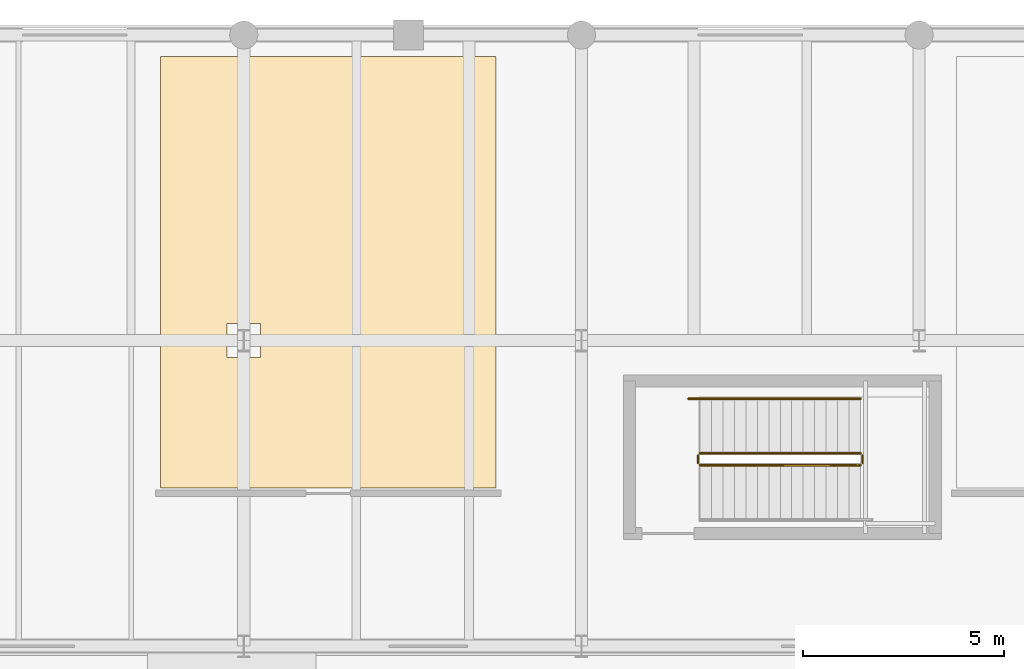
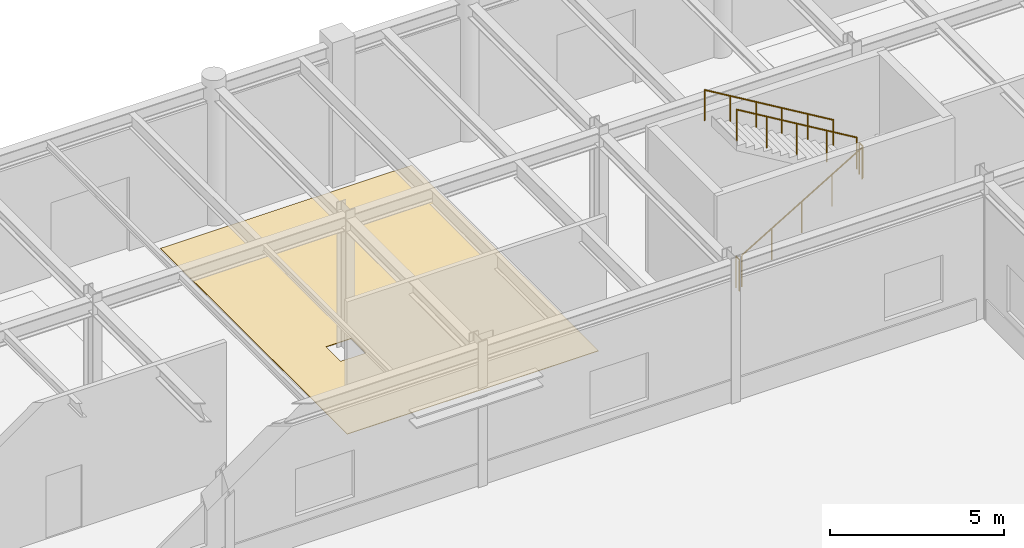
# One storey, part 63 of 64: 5 railings, 1 covering.
"""IFC4 building model written with IfcOpenShell, lengths in metres."""

from ifc_helpers import new_model, si_unit, direction, frame, origin, origin_2d, place, context, subcontext, project, spatial, polyline, circle, outline, extrude, material, layer, layer_set, type_object, element, save


model = new_model("IFC4")

# Units and contexts
model_context = context("Model", 3, precision=1e-05, world=origin(), true_north=direction((0.0, 1.0)))
body_context = subcontext(model_context, "Body", "Model", "MODEL_VIEW")
ifc_project = project(units=[si_unit("LENGTHUNIT", "METRE"), si_unit("AREAUNIT", "SQUARE_METRE"), si_unit("VOLUMEUNIT", "CUBIC_METRE"), si_unit("PLANEANGLEUNIT", "RADIAN"), si_unit("MASSUNIT", "GRAM", prefix="KILO")], contexts=[model_context])

# Site, building, storey
site_placement = place(None, origin())
site = spatial("IfcSite", under=ifc_project, at=site_placement, CompositionType="ELEMENT")
building_placement = place(site_placement, origin())
building = spatial("IfcBuilding", under=site, at=building_placement, Name="Montealbar Specialist Clinic", CompositionType="ELEMENT")
storey_placement = place(building_placement, origin())
storey = spatial("IfcBuildingStorey", under=building, at=storey_placement, Name="L00", CompositionType="ELEMENT", Elevation=0.0)

# Covering
ifc_material_1 = material(Name="Antimicrobial clinical linoleum", Category="wood")
ifc_layer_1 = layer(ifc_material_1, 0.02001953125, Name="Antimicrobial clinical linoleum", Category="wood")
ifc_layer_set_1 = layer_set([ifc_layer_1], Name="Antimicrobial clinical linoleum")
covering_type = type_object("IfcCoveringType", Name="COV-FLR-LINOLEUM", PredefinedType="FLOORING", material=ifc_layer_set_1)
covering_placement = place(storey_placement, origin())
element("IfcCovering", 1, at=covering_placement, inside=storey, type_object=covering_type, Name="Clinical Flooring Pulmonary Function Examination Room", PredefinedType="FLOORING", context=body_context, shape_type="SweptSolid", body=[
    extrude(outline(polyline([(126.330078125, 110.469970703125), (134.669921875, 110.469970703125), (134.669921875, 99.72998046875), (126.330078125, 99.72998046875), (126.330078125, 110.469970703125)]), holes=[polyline([(127.97998046875, 103.820068359375), (127.97998046875, 102.97998046875), (128.820068359375, 102.97998046875), (128.820068359375, 103.820068359375), (127.97998046875, 103.820068359375)])]), origin(), (0.0, 0.0, 1.0), 0.02001953125),
])

# Railings
ifc_material_2 = material(Name="Steel S355", Category="steel")
ifc_layer_2 = layer(ifc_material_2, 0.050048828125, Name="Steel S355", Category="steel")
ifc_layer_set_2 = layer_set([ifc_layer_2], Name="Steel S355")
railing_type_1 = type_object("IfcRailingType", Name="RAIL-STAIR-BAL-1100", PredefinedType="BALUSTRADE", material=ifc_layer_set_2)
railing_1_placement = place(storey_placement, frame((139.75, 100.300048828125, 0.169921875)))
element("IfcRailing", 2, at=railing_1_placement, inside=storey, type_object=railing_type_1, Name="L00 ST-07 stair guard 1", PredefinedType="BALUSTRADE", context=body_context, shape_type="SweptSolid", body=[
    extrude(circle(Radius=0.02392578125, at=origin_2d()), frame((0.0, 0.0, 1.076171875), z_axis=(0.858806931142, 0.0, 0.512299380267), x_axis=(0.0, 1.0, 0.0)), (0.0, 0.0, 1.0), 4.64599609375),
    extrude(circle(Radius=0.02099609375, at=origin_2d()), frame((0.0, 0.0, -0.02490234375)), (0.0, 0.0, 1.0), 1.076904296875),
    extrude(circle(Radius=0.02099609375, at=origin_2d()), frame((0.99755859375, 0.0, 0.570068359375)), (0.0, 0.0, 1.0), 1.076904296875),
    extrude(circle(Radius=0.02099609375, at=origin_2d()), frame((1.9951171875, 0.0, 1.1650390625)), (0.0, 0.0, 1.0), 1.076904296875),
    extrude(circle(Radius=0.02099609375, at=origin_2d()), frame((2.992431640625, 0.0, 1.760009765625)), (0.0, 0.0, 1.0), 1.076904296875),
    extrude(circle(Radius=0.02099609375, at=origin_2d()), frame((3.989990234375, 0.0, 2.355224609375)), (0.0, 0.0, 1.0), 1.076904296875),
])
railing_2_placement = place(storey_placement, frame((143.7900390625, 100.35009765625, 2.550048828125)))
element("IfcRailing", 3, at=railing_2_placement, inside=storey, type_object=railing_type_1, Name="L00 ST-07 stair guard 2", PredefinedType="BALUSTRADE", context=body_context, shape_type="SweptSolid", body=[
    extrude(circle(Radius=0.02392578125, at=origin_2d()), frame((0.0, 0.0, 1.076171875), z_axis=(0.0, 1.0, 0.0), x_axis=(-1.0, 0.0, 0.0)), (0.0, 0.0, 1.0), 0.199951171875),
    extrude(circle(Radius=0.02099609375, at=origin_2d()), frame((0.0, 0.0, -0.02490234375)), (0.0, 0.0, 1.0), 1.076904296875),
    extrude(circle(Radius=0.02099609375, at=origin_2d()), frame((0.0, 0.199951171875, -0.02490234375)), (0.0, 0.0, 1.0), 1.076904296875),
])
railing_3_placement = place(storey_placement, frame((143.739990234375, 100.60009765625, 2.719970703125)))
element("IfcRailing", 4, at=railing_3_placement, inside=storey, type_object=railing_type_1, Name="L00 ST-07 stair guard 3", PredefinedType="BALUSTRADE", context=body_context, shape_type="SweptSolid", body=[
    extrude(circle(Radius=0.02392578125, at=origin_2d()), frame((0.0, 0.0, 1.076171875), z_axis=(-0.858806931142, 0.0, 0.512299380267), x_axis=(0.0, -1.0, 0.0)), (0.0, 0.0, 1.0), 4.64599609375),
    extrude(circle(Radius=0.02099609375, at=origin_2d()), frame((0.0, 0.0, -0.02490234375)), (0.0, 0.0, 1.0), 1.076904296875),
    extrude(circle(Radius=0.02099609375, at=origin_2d()), frame((-0.99755859375, 0.0, 0.570068359375)), (0.0, 0.0, 1.0), 1.076904296875),
    extrude(circle(Radius=0.02099609375, at=origin_2d()), frame((-1.9951171875, 0.0, 1.1650390625)), (0.0, 0.0, 1.0), 1.076904296875),
    extrude(circle(Radius=0.02099609375, at=origin_2d()), frame((-2.992431640625, 0.0, 1.760009765625)), (0.0, 0.0, 1.0), 1.076904296875),
    extrude(circle(Radius=0.02099609375, at=origin_2d()), frame((-3.989990234375, 0.0, 2.355224609375)), (0.0, 0.0, 1.0), 1.076904296875),
])
railing_4_placement = place(storey_placement, frame((139.699951171875, 100.35009765625, 0.0)))
element("IfcRailing", 5, at=railing_4_placement, inside=storey, type_object=railing_type_1, Name="L00 ST-07 stair guard 4", PredefinedType="BALUSTRADE", context=body_context, shape_type="SweptSolid", body=[
    extrude(circle(Radius=0.02392578125, at=origin_2d()), frame((0.0, 0.0, 1.076171875), z_axis=(0.0, 1.0, 0.0), x_axis=(-1.0, 0.0, 0.0)), (0.0, 0.0, 1.0), 0.199951171875),
    extrude(circle(Radius=0.02099609375, at=origin_2d()), frame((0.0, 0.0, -0.02490234375)), (0.0, 0.0, 1.0), 1.076904296875),
    extrude(circle(Radius=0.02099609375, at=origin_2d()), frame((0.0, 0.199951171875, -0.02490234375)), (0.0, 0.0, 1.0), 1.076904296875),
])
ifc_layer_3 = layer(ifc_material_2, 0.044921875, Name="Steel S355", Category="steel")
ifc_layer_set_3 = layer_set([ifc_layer_3], Name="Steel S355")
railing_type_2 = type_object("IfcRailingType", Name="RAIL-STAIR-HR-900", PredefinedType="HANDRAIL", material=ifc_layer_set_3)
railing_5_placement = place(storey_placement, frame((143.739990234375, 101.949951171875, 2.719970703125)))
element("IfcRailing", 6, at=railing_5_placement, inside=storey, type_object=railing_type_2, Name="L00 ST-07 stair handrail 2", PredefinedType="HANDRAIL", context=body_context, shape_type="SweptSolid", body=[
    extrude(circle(Radius=0.02392578125, at=origin_2d()), frame((0.0, 0.0, 0.8759765625), z_axis=(-0.858810040619, 0.0, 0.512294167576), x_axis=(0.0, -1.0, 0.0)), (0.0, 0.0, 1.0), 4.977783203125),
    extrude(circle(Radius=0.02099609375, at=origin_2d()), frame((0.0, 0.0, -0.02490234375)), (0.0, 0.0, 1.0), 0.876708984375),
    extrude(circle(Radius=0.02099609375, at=origin_2d()), frame((-0.85498046875, 0.0, 0.485107421875)), (0.0, 0.0, 1.0), 0.876708984375),
    extrude(circle(Radius=0.02099609375, at=origin_2d()), frame((-1.7099609375, 0.0, 0.9951171875)), (0.0, 0.0, 1.0), 0.876708984375),
    extrude(circle(Radius=0.02099609375, at=origin_2d()), frame((-2.56494140625, 0.0, 1.505126953125)), (0.0, 0.0, 1.0), 0.876708984375),
    extrude(circle(Radius=0.02099609375, at=origin_2d()), frame((-3.419921875, 0.0, 2.01513671875)), (0.0, 0.0, 1.0), 0.876708984375),
    extrude(circle(Radius=0.02099609375, at=origin_2d()), frame((-4.27490234375, 0.0, 2.355224609375)), (0.0, 0.0, 1.0), 1.046630859375),
])

save(model, "model.ifc")
